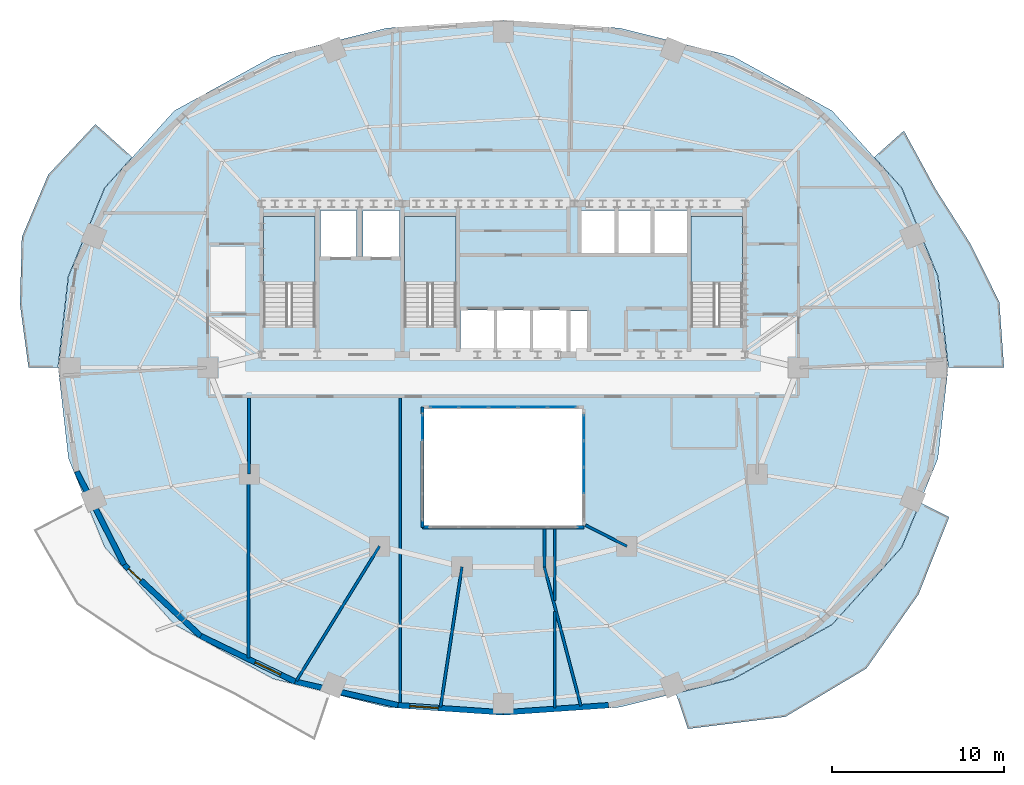
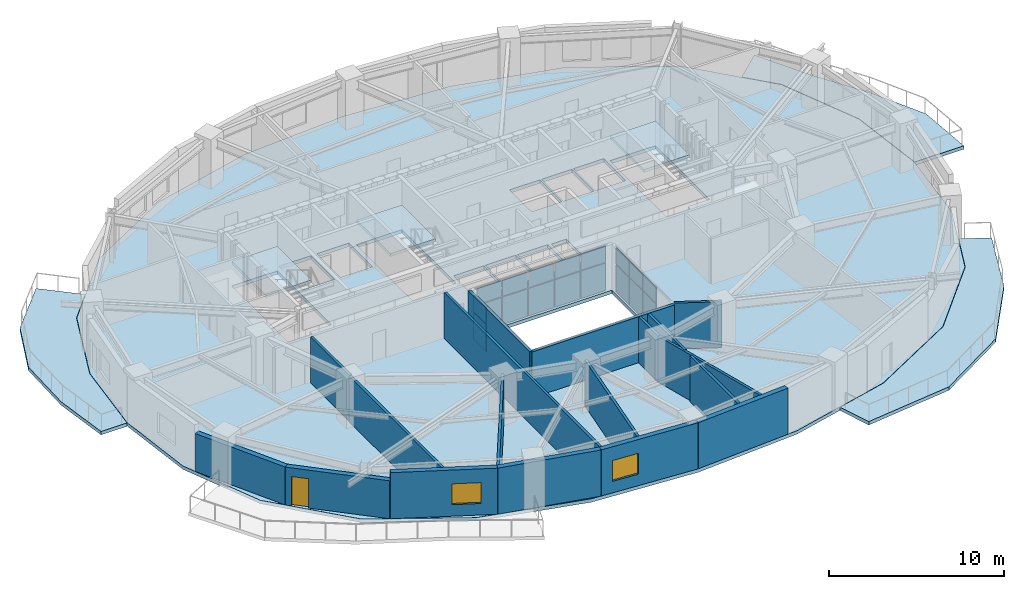
# One storey, part 5 of 11: 18 plates, 18 walls, 7 slabs, 2 windows, 1 door, 3 openings, 6 elements without a shape of their own.
"""IFC4 building model written with IfcOpenShell, lengths in metres."""

from ifc_helpers import new_model, si_unit, direction, frame, frame_2d, origin, origin_2d, place, context, subcontext, project, spatial, polyline, rectangle, outline, extrude, material, layer, layer_set, type_object, element, fill, aggregate, save


model = new_model("IFC4")

# Units and contexts
model_context = context("Model", 3, precision=1e-05, world=origin(), true_north=direction((0.0, 1.0)))
body_context = subcontext(model_context, "Body", "Model", "MODEL_VIEW")
ifc_project = project(units=[si_unit("LENGTHUNIT", "METRE"), si_unit("AREAUNIT", "SQUARE_METRE"), si_unit("VOLUMEUNIT", "CUBIC_METRE"), si_unit("PLANEANGLEUNIT", "RADIAN"), si_unit("MASSUNIT", "GRAM", prefix="KILO")], contexts=[model_context])

# Site, building, storey
site_placement = place(None, origin())
site = spatial("IfcSite", under=ifc_project, at=site_placement, CompositionType="ELEMENT")
building_placement = place(site_placement, origin())
building = spatial("IfcBuilding", under=site, at=building_placement, Name="Haldorwick Loom Tower", CompositionType="ELEMENT")
storey_placement = place(building_placement, frame((0.0, 0.0, 171.699951171875)))
storey = spatial("IfcBuildingStorey", under=building, at=storey_placement, Name="L46", CompositionType="ELEMENT", Elevation=171.699951171875)

# Curtain wall, plates
ifc_material_1 = material(Name="Thermally Broken Anodized Aluminium Curtain Wall Framing", Category="aluminium")
curtain_wall_type = type_object("IfcCurtainWallType", Name="ARC-CW-03", PredefinedType="NOTDEFINED", material=ifc_material_1)
curtain_wall_1_placement = place(storey_placement, origin())
curtain_wall_1 = element("IfcCurtainWall", 1, at=curtain_wall_1_placement, inside=storey, type_object=curtain_wall_type, Name="L46 Atrium Glazed Screen N", PredefinedType="NOTDEFINED")
ifc_material_2 = material(Name="Triple-Glazed Low-E Argon Insulated Glazing Unit", Category="glass")
ifc_layer_1 = layer(ifc_material_2, 0.04296875, Name="Triple-Glazed Low-E Argon Insulated Glazing Unit", Category="glass")
ifc_layer_set_1 = layer_set([ifc_layer_1], Name="Triple-Glazed Low-E Argon Insulated Glazing Unit")
plate_type = type_object("IfcPlateType", Name="ARC-CWP-03", PredefinedType="CURTAIN_PANEL", material=ifc_layer_set_1)
plate_1_placement = place(storey_placement, frame((32.576416015625, 23.699951171875, 0.066162109375), z_axis=(0.0, 0.0, 1.0), x_axis=(1.0, 0.0, 0.0)))
plate_1 = element("IfcPlate", 2, at=plate_1_placement, type_object=plate_type, Name="CW-03 panel 1.1", PredefinedType="CURTAIN_PANEL", context=body_context, shape_type="SweptSolid", body=[
    extrude(rectangle(XDim=1.62109375, YDim=0.04296875, at=origin_2d()), origin(), (0.0, 0.0, 1.0), 1.90087890625),
])
plate_2_placement = place(storey_placement, frame((32.576416015625, 23.699951171875, 2.033203125), z_axis=(0.0, 0.0, 1.0), x_axis=(1.0, 0.0, 0.0)))
plate_2 = element("IfcPlate", 3, at=plate_2_placement, type_object=plate_type, Name="CW-03 panel 1.2", PredefinedType="CURTAIN_PANEL", context=body_context, shape_type="SweptSolid", body=[
    extrude(rectangle(XDim=1.62109375, YDim=0.04296875, at=origin_2d()), origin(), (0.0, 0.0, 1.0), 1.111083984375),
])
plate_3_placement = place(storey_placement, frame((34.280029296875, 23.699951171875, 0.066162109375), z_axis=(0.0, 0.0, 1.0), x_axis=(1.0, 0.0, 0.0)))
plate_3 = element("IfcPlate", 4, at=plate_3_placement, type_object=plate_type, Name="CW-03 panel 2.1", PredefinedType="CURTAIN_PANEL", context=body_context, shape_type="SweptSolid", body=[
    extrude(rectangle(XDim=1.654052734375, YDim=0.04296875, at=origin_2d()), origin(), (0.0, 0.0, 1.0), 1.90087890625),
])
plate_4_placement = place(storey_placement, frame((34.280029296875, 23.699951171875, 2.033203125), z_axis=(0.0, 0.0, 1.0), x_axis=(1.0, 0.0, 0.0)))
plate_4 = element("IfcPlate", 5, at=plate_4_placement, type_object=plate_type, Name="CW-03 panel 2.2", PredefinedType="CURTAIN_PANEL", context=body_context, shape_type="SweptSolid", body=[
    extrude(rectangle(XDim=1.654052734375, YDim=0.04296875, at=origin_2d()), origin(), (0.0, 0.0, 1.0), 1.111083984375),
])
plate_5_placement = place(storey_placement, frame((36.0, 23.699951171875, 0.066162109375), z_axis=(0.0, 0.0, 1.0), x_axis=(1.0, 0.0, 0.0)))
plate_5 = element("IfcPlate", 6, at=plate_5_placement, type_object=plate_type, Name="CW-03 panel 3.1", PredefinedType="CURTAIN_PANEL", context=body_context, shape_type="SweptSolid", body=[
    extrude(rectangle(XDim=1.654052734375, YDim=0.04296875, at=origin_2d()), origin(), (0.0, 0.0, 1.0), 1.90087890625),
])
plate_6_placement = place(storey_placement, frame((36.0, 23.699951171875, 2.033203125), z_axis=(0.0, 0.0, 1.0), x_axis=(1.0, 0.0, 0.0)))
plate_6 = element("IfcPlate", 7, at=plate_6_placement, type_object=plate_type, Name="CW-03 panel 3.2", PredefinedType="CURTAIN_PANEL", context=body_context, shape_type="SweptSolid", body=[
    extrude(rectangle(XDim=1.654052734375, YDim=0.04296875, at=origin_2d()), origin(), (0.0, 0.0, 1.0), 1.111083984375),
])
plate_7_placement = place(storey_placement, frame((37.719970703125, 23.699951171875, 0.066162109375), z_axis=(0.0, 0.0, 1.0), x_axis=(1.0, 0.0, 0.0)))
plate_7 = element("IfcPlate", 8, at=plate_7_placement, type_object=plate_type, Name="CW-03 panel 4.1", PredefinedType="CURTAIN_PANEL", context=body_context, shape_type="SweptSolid", body=[
    extrude(rectangle(XDim=1.654052734375, YDim=0.04296875, at=origin_2d()), origin(), (0.0, 0.0, 1.0), 1.90087890625),
])
plate_8_placement = place(storey_placement, frame((37.719970703125, 23.699951171875, 2.033203125), z_axis=(0.0, 0.0, 1.0), x_axis=(1.0, 0.0, 0.0)))
plate_8 = element("IfcPlate", 9, at=plate_8_placement, type_object=plate_type, Name="CW-03 panel 4.2", PredefinedType="CURTAIN_PANEL", context=body_context, shape_type="SweptSolid", body=[
    extrude(rectangle(XDim=1.654052734375, YDim=0.04296875, at=origin_2d()), origin(), (0.0, 0.0, 1.0), 1.111083984375),
])
plate_9_placement = place(storey_placement, frame((39.423583984375, 23.699951171875, 0.066162109375), z_axis=(0.0, 0.0, 1.0), x_axis=(1.0, 0.0, 0.0)))
plate_9 = element("IfcPlate", 10, at=plate_9_placement, type_object=plate_type, Name="CW-03 panel 5.1", PredefinedType="CURTAIN_PANEL", context=body_context, shape_type="SweptSolid", body=[
    extrude(rectangle(XDim=1.62109375, YDim=0.04296875, at=origin_2d()), origin(), (0.0, 0.0, 1.0), 1.90087890625),
])
plate_10_placement = place(storey_placement, frame((39.423583984375, 23.699951171875, 2.033203125), z_axis=(0.0, 0.0, 1.0), x_axis=(1.0, 0.0, 0.0)))
plate_10 = element("IfcPlate", 11, at=plate_10_placement, type_object=plate_type, Name="CW-03 panel 5.2", PredefinedType="CURTAIN_PANEL", context=body_context, shape_type="SweptSolid", body=[
    extrude(rectangle(XDim=1.62109375, YDim=0.04296875, at=origin_2d()), origin(), (0.0, 0.0, 1.0), 1.111083984375),
])
aggregate(curtain_wall_1, [plate_1, plate_2, plate_3, plate_4, plate_5, plate_6, plate_7, plate_8, plate_9, plate_10])

curtain_wall_2_placement = place(storey_placement, origin())
curtain_wall_2 = element("IfcCurtainWall", 12, at=curtain_wall_2_placement, inside=storey, type_object=curtain_wall_type, Name="L46 Atrium Glazed Screen W", PredefinedType="NOTDEFINED")
plate_11_placement = place(storey_placement, frame((31.300048828125, 22.508544921875, 0.066162109375), z_axis=(0.0, 0.0, 1.0), x_axis=(0.0, 1.0, 0.0)))
plate_11 = element("IfcPlate", 13, at=plate_11_placement, type_object=plate_type, Name="CW-03 panel 4.1", PredefinedType="CURTAIN_PANEL", context=body_context, shape_type="SweptSolid", body=[
    extrude(rectangle(XDim=1.450927734375, YDim=0.04296875, at=origin_2d()), origin(), (0.0, 0.0, 1.0), 1.90087890625),
])
plate_12_placement = place(storey_placement, frame((31.300048828125, 22.508544921875, 2.033203125), z_axis=(0.0, 0.0, 1.0), x_axis=(0.0, 1.0, 0.0)))
plate_12 = element("IfcPlate", 14, at=plate_12_placement, type_object=plate_type, Name="CW-03 panel 4.2", PredefinedType="CURTAIN_PANEL", context=body_context, shape_type="SweptSolid", body=[
    extrude(rectangle(XDim=1.450927734375, YDim=0.04296875, at=origin_2d()), origin(), (0.0, 0.0, 1.0), 1.111083984375),
])
aggregate(curtain_wall_2, [plate_11, plate_12])

curtain_wall_3_placement = place(storey_placement, origin())
curtain_wall_3 = element("IfcCurtainWall", 15, at=curtain_wall_3_placement, inside=storey, type_object=curtain_wall_type, Name="L46 Atrium Glazed Screen E", PredefinedType="NOTDEFINED")
plate_13_placement = place(storey_placement, frame((40.699951171875, 22.508544921875, 0.066162109375), z_axis=(0.0, 0.0, 1.0), x_axis=(0.0, -1.0, 0.0)))
plate_13 = element("IfcPlate", 16, at=plate_13_placement, type_object=plate_type, Name="CW-03 panel 1.1", PredefinedType="CURTAIN_PANEL", context=body_context, shape_type="SweptSolid", body=[
    extrude(rectangle(XDim=1.450927734375, YDim=0.04296875, at=origin_2d()), origin(), (0.0, 0.0, 1.0), 1.90087890625),
])
plate_14_placement = place(storey_placement, frame((40.699951171875, 22.508544921875, 2.033203125), z_axis=(0.0, 0.0, 1.0), x_axis=(0.0, -1.0, 0.0)))
plate_14 = element("IfcPlate", 17, at=plate_14_placement, type_object=plate_type, Name="CW-03 panel 1.2", PredefinedType="CURTAIN_PANEL", context=body_context, shape_type="SweptSolid", body=[
    extrude(rectangle(XDim=1.450927734375, YDim=0.04296875, at=origin_2d()), origin(), (0.0, 0.0, 1.0), 1.111083984375),
])
plate_15_placement = place(storey_placement, frame((40.699951171875, 20.97509765625, 0.066162109375), z_axis=(0.0, 0.0, 1.0), x_axis=(0.0, -1.0, 0.0)))
plate_15 = element("IfcPlate", 18, at=plate_15_placement, type_object=plate_type, Name="CW-03 panel 2.1", PredefinedType="CURTAIN_PANEL", context=body_context, shape_type="SweptSolid", body=[
    extrude(rectangle(XDim=1.48388671875, YDim=0.04296875, at=origin_2d()), origin(), (0.0, 0.0, 1.0), 1.90087890625),
])
plate_16_placement = place(storey_placement, frame((40.699951171875, 20.97509765625, 2.033203125), z_axis=(0.0, 0.0, 1.0), x_axis=(0.0, -1.0, 0.0)))
plate_16 = element("IfcPlate", 19, at=plate_16_placement, type_object=plate_type, Name="CW-03 panel 2.2", PredefinedType="CURTAIN_PANEL", context=body_context, shape_type="SweptSolid", body=[
    extrude(rectangle(XDim=1.48388671875, YDim=0.04296875, at=origin_2d()), origin(), (0.0, 0.0, 1.0), 1.111083984375),
])
plate_17_placement = place(storey_placement, frame((40.699951171875, 19.425048828125, 0.066162109375), z_axis=(0.0, 0.0, 1.0), x_axis=(0.0, -1.0, 0.0)))
plate_17 = element("IfcPlate", 20, at=plate_17_placement, type_object=plate_type, Name="CW-03 panel 3.1", PredefinedType="CURTAIN_PANEL", context=body_context, shape_type="SweptSolid", body=[
    extrude(rectangle(XDim=1.48388671875, YDim=0.04296875, at=origin_2d()), origin(), (0.0, 0.0, 1.0), 1.90087890625),
])
plate_18_placement = place(storey_placement, frame((40.699951171875, 19.425048828125, 2.033203125), z_axis=(0.0, 0.0, 1.0), x_axis=(0.0, -1.0, 0.0)))
plate_18 = element("IfcPlate", 21, at=plate_18_placement, type_object=plate_type, Name="CW-03 panel 3.2", PredefinedType="CURTAIN_PANEL", context=body_context, shape_type="SweptSolid", body=[
    extrude(rectangle(XDim=1.48388671875, YDim=0.04296875, at=origin_2d()), origin(), (0.0, 0.0, 1.0), 1.111083984375),
])
aggregate(curtain_wall_3, [plate_13, plate_14, plate_15, plate_16, plate_17, plate_18])

# Slabs
ifc_material_3 = material(Name="Concrete C40 (40 MPa)", Category="concrete")
ifc_layer_2 = layer(ifc_material_3, 0.239990234375, Name="Concrete C40 (40 MPa)", Category="concrete")
ifc_layer_set_2 = layer_set([ifc_layer_2], Name="Concrete C40 (40 MPa)")
slab_type_1 = type_object("IfcSlabType", Name="STR-SLB-BAL240", PredefinedType="FLOOR", material=ifc_layer_set_2)
slab_1_placement = place(storey_placement, frame((0.0, 0.0, -0.239990234375)))
element("IfcSlab", 22, at=slab_1_placement, inside=storey, type_object=slab_type_1, Name="L46 Sinusoidal Balcony Terrace BAL_SE", PredefinedType="FLOOR", context=body_context, shape_type="SweptSolid", body=[
    extrude(outline(polyline([(60.284912109375, 18.142822265625), (59.216064453125, 15.530517578125), (59.21533203125, 15.529296875), (59.21484375, 15.528076171875), (59.214111328125, 15.527099609375), (59.213134765625, 15.526123046875), (55.16162109375, 11.031005859375), (55.16064453125, 11.02978515625), (55.1591796875, 11.028564453125), (55.15771484375, 11.02783203125), (49.40283203125, 7.863037109375), (49.40185546875, 7.8623046875), (49.400634765625, 7.86181640625), (49.3994140625, 7.861572265625), (46.060302734375, 7.02783203125), (46.7607421875, 4.96044921875), (52.440673828125, 5.66796875), (57.151123046875, 8.4794921875), (60.17919921875, 12.77880859375), (61.969482421875, 17.2900390625), (60.284912109375, 18.142822265625)])), origin(), (0.0, 0.0, 1.0), 0.239990234375),
])
slab_2_placement = place(storey_placement, frame((0.0, 0.0, -0.239990234375)))
element("IfcSlab", 23, at=slab_2_placement, inside=storey, type_object=slab_type_1, Name="L46 Sinusoidal Balcony Terrace BAL_WNW", PredefinedType="FLOOR", context=body_context, shape_type="SweptSolid", body=[
    extrude(outline(polyline([(10.068115234375, 26.0), (10.068115234375, 26.001708984375), (10.669677734375, 31.30029296875), (10.669921875, 31.3017578125), (10.670166015625, 31.302978515625), (10.670654296875, 31.30419921875), (12.783935546875, 36.469482421875), (12.78466796875, 36.470703125), (12.78515625, 36.4716796875), (12.785888671875, 36.472900390625), (12.786865234375, 36.473876953125), (14.39013671875, 38.2529296875), (12.253662109375, 40.1748046875), (9.505615234375, 37.237060546875), (7.967529296875, 33.601318359375), (7.860107421875, 29.673583984375), (8.3564453125, 26.0), (10.068115234375, 26.0)])), origin(), (0.0, 0.0, 1.0), 0.239990234375),
])
slab_3_placement = place(storey_placement, frame((0.0, 0.0, -0.239990234375)))
element("IfcSlab", 24, at=slab_3_placement, inside=storey, type_object=slab_type_1, Name="L46 Sinusoidal Balcony Terrace BAL_ENE", PredefinedType="FLOOR", context=body_context, shape_type="SweptSolid", body=[
    extrude(outline(polyline([(57.610107421875, 38.25244140625), (59.213134765625, 36.473876953125), (59.214111328125, 36.472900390625), (59.21484375, 36.4716796875), (59.21533203125, 36.470703125), (59.216064453125, 36.469482421875), (61.329345703125, 31.30419921875), (61.329833984375, 31.302978515625), (61.330078125, 31.3017578125), (61.330322265625, 31.30029296875), (61.931884765625, 26.001708984375), (61.931884765625, 26.0), (65.1669921875, 26.0), (64.89306640625, 29.826416015625), (63.18896484375, 33.25048828125), (61.189208984375, 36.3857421875), (59.33740234375, 39.794677734375), (57.610107421875, 38.25244140625)])), origin(), (0.0, 0.0, 1.0), 0.239990234375),
])

# Stair, slab
stair_type = type_object("IfcStairType", Name="STR-STR-CORE", PredefinedType="HALF_TURN_STAIR", material=ifc_material_3)
stair_1_placement = place(storey_placement, origin())
stair_1 = element("IfcStair", 25, at=stair_1_placement, inside=storey, type_object=stair_type, Name="L46 Exit Stair ST-01", PredefinedType="HALF_TURN_STAIR")
ifc_layer_3 = layer(ifc_material_3, 0.199951171875, Name="Concrete C40 (40 MPa)", Category="concrete")
ifc_layer_set_3 = layer_set([ifc_layer_3], Name="Concrete C40 (40 MPa)")
slab_type_2 = type_object("IfcSlabType", Name="STR-SLB-LAND200", PredefinedType="LANDING", material=ifc_layer_set_3)
slab_4_placement = place(storey_placement, frame((0.0, 0.0, 1.525146484375)))
slab_4 = element("IfcSlab", 26, at=slab_4_placement, type_object=slab_type_2, Name="ST-01 landing 1", PredefinedType="LANDING", context=body_context, shape_type="SweptSolid", body=[
    extrude(outline(polyline([(25.050048828125, 30.919921875), (25.050048828125, 34.800048828125), (22.050048828125, 34.800048828125), (22.050048828125, 30.919921875), (25.050048828125, 30.919921875)])), origin(), (0.0, 0.0, 1.0), 0.199951171875),
])
aggregate(stair_1, [slab_4])

stair_2_placement = place(storey_placement, origin())
stair_2 = element("IfcStair", 27, at=stair_2_placement, inside=storey, type_object=stair_type, Name="L46 Exit Stair ST-02", PredefinedType="HALF_TURN_STAIR")
slab_5_placement = place(storey_placement, frame((0.0, 0.0, 1.525146484375)))
slab_5 = element("IfcSlab", 28, at=slab_5_placement, type_object=slab_type_2, Name="ST-02 landing 1", PredefinedType="LANDING", context=body_context, shape_type="SweptSolid", body=[
    extrude(outline(polyline([(49.949951171875, 30.919921875), (49.949951171875, 34.800048828125), (46.949951171875, 34.800048828125), (46.949951171875, 30.919921875), (49.949951171875, 30.919921875)])), origin(), (0.0, 0.0, 1.0), 0.199951171875),
])
aggregate(stair_2, [slab_5])

stair_3_placement = place(storey_placement, origin())
stair_3 = element("IfcStair", 29, at=stair_3_placement, inside=storey, type_object=stair_type, Name="L46 Exit Stair ST-03", PredefinedType="HALF_TURN_STAIR")
slab_6_placement = place(storey_placement, frame((0.0, 0.0, 1.525146484375)))
slab_6 = element("IfcSlab", 30, at=slab_6_placement, type_object=slab_type_2, Name="ST-03 landing 1", PredefinedType="LANDING", context=body_context, shape_type="SweptSolid", body=[
    extrude(outline(polyline([(33.25, 30.919921875), (33.25, 34.800048828125), (30.25, 34.800048828125), (30.25, 30.919921875), (33.25, 30.919921875)])), origin(), (0.0, 0.0, 1.0), 0.199951171875),
])
aggregate(stair_3, [slab_6])

# Slab
ifc_layer_4 = layer(ifc_material_3, 0.239990234375, Name="Concrete C40 (40 MPa)", Category="concrete")
ifc_layer_set_4 = layer_set([ifc_layer_4], Name="Concrete C40 (40 MPa)")
slab_type_3 = type_object("IfcSlabType", Name="STR-SLB-RES240", PredefinedType="FLOOR", material=ifc_layer_set_4)
slab_7_placement = place(storey_placement, frame((0.0, 0.0, -0.239990234375)))
element("IfcSlab", 31, at=slab_7_placement, inside=storey, type_object=slab_type_3, Name="L46 Residential Structural Floor Slab", PredefinedType="FLOOR", context=body_context, shape_type="SweptSolid", body=[
    extrude(outline(polyline([(55.150634765625, 11.041015625), (59.2021484375, 15.5361328125), (61.3154296875, 20.701416015625), (61.9169921875, 26.0), (61.3154296875, 31.298583984375), (59.2021484375, 36.4638671875), (55.150634765625, 40.958984375), (49.395751953125, 44.123779296875), (42.783203125, 45.774658203125), (36.0, 46.24462890625), (29.216796875, 45.774658203125), (22.604248046875, 44.123779296875), (16.849365234375, 40.958984375), (12.7978515625, 36.4638671875), (10.6845703125, 31.298583984375), (10.0830078125, 26.0), (10.6845703125, 20.701416015625), (12.7978515625, 15.5361328125), (16.849365234375, 11.041015625), (22.604248046875, 7.876220703125), (29.216796875, 6.225341796875), (36.0, 5.75537109375), (42.783203125, 6.225341796875), (49.395751953125, 7.876220703125), (55.150634765625, 11.041015625)]), holes=[polyline([(31.39990234375, 16.800048828125), (31.39990234375, 23.60009765625), (40.60009765625, 23.60009765625), (40.60009765625, 16.800048828125), (31.39990234375, 16.800048828125)]), polyline([(33.5, 26.85009765625), (33.5, 29.35009765625), (35.5, 29.35009765625), (35.5, 26.85009765625), (33.5, 26.85009765625)]), polyline([(35.60009765625, 26.85009765625), (35.60009765625, 29.35009765625), (37.60009765625, 29.35009765625), (37.60009765625, 26.85009765625), (35.60009765625, 26.85009765625)]), polyline([(23.6201171875, 28.39990234375), (22.050048828125, 28.39990234375), (22.050048828125, 34.800048828125), (25.050048828125, 34.800048828125), (25.050048828125, 28.639892578125), (23.6201171875, 28.639892578125), (23.6201171875, 28.39990234375)]), polyline([(30.25, 28.39990234375), (30.25, 34.800048828125), (33.25, 34.800048828125), (33.25, 28.639892578125), (31.820068359375, 28.639892578125), (31.820068359375, 28.39990234375), (30.25, 28.39990234375)]), polyline([(25.35009765625, 32.449951171875), (25.35009765625, 35.14990234375), (27.449951171875, 35.14990234375), (27.449951171875, 32.449951171875), (25.35009765625, 32.449951171875)]), polyline([(29.949951171875, 32.449951171875), (27.85009765625, 32.449951171875), (27.85009765625, 35.14990234375), (29.949951171875, 35.14990234375), (29.949951171875, 32.449951171875)]), polyline([(37.699951171875, 26.85009765625), (37.699951171875, 29.35009765625), (39.699951171875, 29.35009765625), (39.699951171875, 26.85009765625), (37.699951171875, 26.85009765625)]), polyline([(39.89990234375, 26.89990234375), (39.89990234375, 29.300048828125), (40.89990234375, 29.300048828125), (40.89990234375, 26.89990234375), (39.89990234375, 26.89990234375)]), polyline([(46.949951171875, 28.39990234375), (46.949951171875, 34.800048828125), (49.949951171875, 34.800048828125), (49.949951171875, 28.639892578125), (48.52001953125, 28.639892578125), (48.52001953125, 28.39990234375), (46.949951171875, 28.39990234375)]), polyline([(40.550048828125, 32.64990234375), (40.550048828125, 35.14990234375), (42.550048828125, 35.14990234375), (42.550048828125, 32.64990234375), (40.550048828125, 32.64990234375)]), polyline([(42.64990234375, 32.64990234375), (42.64990234375, 35.14990234375), (44.64990234375, 35.14990234375), (44.64990234375, 32.64990234375), (42.64990234375, 32.64990234375)]), polyline([(44.75, 32.64990234375), (44.75, 35.14990234375), (46.75, 35.14990234375), (46.75, 32.64990234375), (44.75, 32.64990234375)])]), origin(), (0.0, 0.0, 1.0), 0.239990234375),
])

# Wall
ifc_material_4 = material(Name="Pressed Clay Face Brick and Insulated Masonry Backup Assembly", Category="masonry")
ifc_layer_5 = layer(ifc_material_4, 0.320068359375, Name="Pressed Clay Face Brick and Insulated Masonry Backup Assembly", Category="masonry")
ifc_layer_set_5 = layer_set([ifc_layer_5], Name="Pressed Clay Face Brick and Insulated Masonry Backup Assembly")
wall_type_1 = type_object("IfcWallType", Name="ARC-WL-EXT320", PredefinedType="STANDARD", material=ifc_layer_set_5)
wall_1_placement = place(storey_placement, frame((11.1650390625, 19.944580078125, 0.0), z_axis=(0.0, 0.0, 1.0), x_axis=(0.453172129629, -0.89142303141, 0.0)))
element("IfcWall", 32, at=wall_1_placement, inside=storey, type_object=wall_type_1, Name="L46 Brick Pier and Spandrel Wall 14", PredefinedType="STANDARD", context=body_context, shape_type="SweptSolid", body=[
    extrude(rectangle(XDim=6.086669921875, YDim=0.320068359375, at=frame_2d((3.04345703125, 0.0))), origin(), (0.0, 0.0, 1.0), 2.64111328125),
])

# Wall, opening, door
wall_2_placement = place(storey_placement, frame((13.92333984375, 14.518798828125, 0.0), z_axis=(0.0, 0.0, 1.0), x_axis=(0.732001571644, -0.681302942244, 0.0)))
wall_2 = element("IfcWall", 33, at=wall_2_placement, inside=storey, type_object=wall_type_1, Name="L46 Brick Pier and Spandrel Wall 15", PredefinedType="STANDARD", context=body_context, shape_type="SweptSolid", body=[
    extrude(rectangle(XDim=6.0869140625, YDim=0.320068359375, at=frame_2d((3.04345703125, 0.0))), origin(), (0.0, 0.0, 1.0), 2.64111328125),
])
opening_1_placement = place(wall_2_placement, frame((0.340087890625, 0.0, 0.0)))
opening_1 = element("IfcOpeningElement", 34, at=opening_1_placement, cuts=wall_2, Name="Opening D-BL10", PredefinedType="OPENING", context=body_context, shape_type="SweptSolid", body=[
    extrude(rectangle(XDim=1.0, YDim=2.0400390625, at=frame_2d((0.5, 1.02001953125))), frame((0.0, 0.169921875, 0.0), z_axis=(0.0, -1.0, 0.0), x_axis=(1.0, 0.0, 0.0)), (0.0, 0.0, 1.0), 0.340087890625),
])
door_type = type_object("IfcDoorType", Name="ARC-DR-BAL100", OperationType="NOTDEFINED", PredefinedType="DOOR", material=ifc_material_1)
door_placement = place(opening_1_placement, origin())
door = element("IfcDoor", 35, at=door_placement, inside=storey, type_object=door_type, Name="L46 Outdoor Terrace Door SLB-L46-BAL_SW", OperationType="SINGLE_SWING_LEFT", OverallHeight=2.0400390625, OverallWidth=1.0, PredefinedType="DOOR", context=body_context, shape_type="SweptSolid", body=[
    extrude(rectangle(XDim=1.0, YDim=2.0400390625, at=frame_2d((0.5, 1.02001953125))), frame((0.0, 0.02490234375, 0.0), z_axis=(0.0, -1.0, 0.0), x_axis=(1.0, 0.0, 0.0)), (0.0, 0.0, 1.0), 0.050048828125),
])
fill(opening_1, door)

# Wall, opening, window
wall_3_placement = place(storey_placement, frame((18.37890625, 10.371826171875, 0.0), z_axis=(0.0, 0.0, 1.0), x_axis=(0.900472429216, -0.43491309962, 0.0)))
wall_3 = element("IfcWall", 36, at=wall_3_placement, inside=storey, type_object=wall_type_1, Name="L46 Brick Pier and Spandrel Wall 16", PredefinedType="STANDARD", context=body_context, shape_type="SweptSolid", body=[
    extrude(rectangle(XDim=6.1181640625, YDim=0.320068359375, at=frame_2d((3.05908203125, 0.0))), origin(), (0.0, 0.0, 1.0), 3.2099609375),
])
opening_2_placement = place(wall_3_placement, frame((3.527099609375, 0.0, 0.800048828125)))
opening_2 = element("IfcOpeningElement", 37, at=opening_2_placement, cuts=wall_3, Name="Opening W-01B", PredefinedType="OPENING", context=body_context, shape_type="SweptSolid", body=[
    extrude(rectangle(XDim=1.64990234375, YDim=1.449951171875, at=frame_2d((0.824951171875, 0.72509765625))), frame((0.0, 0.169921875, 0.0), z_axis=(0.0, -1.0, 0.0), x_axis=(1.0, 0.0, 0.0)), (0.0, 0.0, 1.0), 0.340087890625),
])
window_type = type_object("IfcWindowType", Name="ARC-WIN-W165", PartitioningType="SINGLE_PANEL", PredefinedType="WINDOW", material=ifc_material_2)
window_1_placement = place(opening_2_placement, origin())
window_1 = element("IfcWindow", 38, at=window_1_placement, inside=storey, type_object=window_type, Name="L46 Deep-Set Zone 7A Window 16", OverallHeight=1.449951171875, OverallWidth=1.64990234375, PartitioningType="SINGLE_PANEL", PredefinedType="WINDOW", context=body_context, shape_type="SweptSolid", body=[
    extrude(rectangle(XDim=1.64990234375, YDim=1.449951171875, at=frame_2d((0.824951171875, 0.72509765625))), frame((0.0, 0.030029296875, 0.0), z_axis=(0.0, -1.0, 0.0), x_axis=(1.0, 0.0, 0.0)), (0.0, 0.0, 1.0), 0.06005859375),
])
fill(opening_2, window_1)

# Wall
wall_4_placement = place(storey_placement, frame((23.88818359375, 7.7109375, 0.0), z_axis=(0.0, 0.0, 1.0), x_axis=(0.974593223547, -0.223982250674, 0.0)))
element("IfcWall", 39, at=wall_4_placement, inside=storey, type_object=wall_type_1, Name="L46 Brick Pier and Spandrel Wall 17", PredefinedType="STANDARD", context=body_context, shape_type="SweptSolid", body=[
    extrude(rectangle(XDim=6.138916015625, YDim=0.320068359375, at=frame_2d((3.0693359375, 0.0))), origin(), (0.0, 0.0, 1.0), 3.2099609375),
])

# Wall, opening, window
wall_5_placement = place(storey_placement, frame((29.87109375, 6.3359375, 0.0), z_axis=(0.0, 0.0, 1.0), x_axis=(0.997652942988, -0.068473391522, 0.0)))
wall_5 = element("IfcWall", 40, at=wall_5_placement, inside=storey, type_object=wall_type_1, Name="L46 Brick Pier and Spandrel Wall 18", PredefinedType="STANDARD", context=body_context, shape_type="SweptSolid", body=[
    extrude(rectangle(XDim=6.143310546875, YDim=0.320068359375, at=frame_2d((3.07177734375, 0.0))), origin(), (0.0, 0.0, 1.0), 3.2099609375),
])
opening_3_placement = place(wall_5_placement, frame((0.697509765625, 0.0, 0.800048828125)))
opening_3 = element("IfcOpeningElement", 41, at=opening_3_placement, cuts=wall_5, Name="Opening W-01B", PredefinedType="OPENING", context=body_context, shape_type="SweptSolid", body=[
    extrude(rectangle(XDim=1.64990234375, YDim=1.449951171875, at=frame_2d((0.824951171875, 0.72509765625))), frame((0.0, 0.169921875, 0.0), z_axis=(0.0, -1.0, 0.0), x_axis=(1.0, 0.0, 0.0)), (0.0, 0.0, 1.0), 0.340087890625),
])
window_2_placement = place(opening_3_placement, origin())
window_2 = element("IfcWindow", 42, at=window_2_placement, inside=storey, type_object=window_type, Name="L46 Deep-Set Zone 7A Window 18", OverallHeight=1.449951171875, OverallWidth=1.64990234375, PartitioningType="SINGLE_PANEL", PredefinedType="WINDOW", context=body_context, shape_type="SweptSolid", body=[
    extrude(rectangle(XDim=1.64990234375, YDim=1.449951171875, at=frame_2d((0.824951171875, 0.72509765625))), frame((0.0, 0.030029296875, 0.0), z_axis=(0.0, -1.0, 0.0), x_axis=(1.0, 0.0, 0.0)), (0.0, 0.0, 1.0), 0.06005859375),
])
fill(opening_3, window_2)

# Walls
wall_6_placement = place(storey_placement, frame((36.0, 5.915283203125, 0.0), z_axis=(0.0, 0.0, 1.0), x_axis=(0.997652942988, 0.068473391522, 0.0)))
element("IfcWall", 43, at=wall_6_placement, inside=storey, type_object=wall_type_1, Name="L46 Brick Pier and Spandrel Wall 19", PredefinedType="STANDARD", context=body_context, shape_type="SweptSolid", body=[
    extrude(rectangle(XDim=6.143310546875, YDim=0.320068359375, at=frame_2d((3.07177734375, 0.0))), origin(), (0.0, 0.0, 1.0), 3.2099609375),
])
ifc_material_5 = material(Name="Fire-Rated Type X Gypsum Stud Assembly EI 60")
ifc_layer_6 = layer(ifc_material_5, 0.159912109375, Name="Fire-Rated Type X Gypsum Stud Assembly EI 60")
ifc_layer_set_6 = layer_set([ifc_layer_6], Name="Fire-Rated Type X Gypsum Stud Assembly EI 60")
wall_type_2 = type_object("IfcWallType", Name="ARC-WL-FIRE160", PredefinedType="PARTITIONING", material=ifc_layer_set_6)
wall_7_placement = place(storey_placement, frame((38.39990234375, 14.39990234375, 0.0), z_axis=(0.0, 0.0, 1.0), x_axis=(0.253580014621, -0.967314414337, 0.0)))
element("IfcWall", 44, at=wall_7_placement, inside=storey, type_object=wall_type_2, Name="L46 Residential Fire Partition L46-ICR-05", PredefinedType="PARTITIONING", context=body_context, shape_type="SweptSolid", body=[
    extrude(rectangle(XDim=8.3828125, YDim=0.159912109375, at=frame_2d((4.19140625, 0.0))), origin(), (0.0, 0.0, 1.0), 3.195068359375),
])
wall_8_placement = place(storey_placement, frame((33.60009765625, 14.39990234375, 0.0), z_axis=(0.0, 0.0, 1.0), x_axis=(-0.151084741361, -0.988520814615, 0.0)))
element("IfcWall", 45, at=wall_8_placement, inside=storey, type_object=wall_type_2, Name="L46 Residential Fire Partition L46-ICR-07", PredefinedType="PARTITIONING", context=body_context, shape_type="SweptSolid", body=[
    extrude(rectangle(XDim=8.263916015625, YDim=0.159912109375, at=frame_2d((4.1318359375, 0.0))), origin(), (0.0, 0.0, 1.0), 3.195068359375),
])
wall_9_placement = place(storey_placement, frame((28.800048828125, 15.60009765625, 0.0), z_axis=(0.0, 0.0, 1.0), x_axis=(-0.525389067154, -0.850862108755, 0.0)))
element("IfcWall", 46, at=wall_9_placement, inside=storey, type_object=wall_type_2, Name="L46 Residential Fire Partition L46-ICR-09", PredefinedType="PARTITIONING", context=body_context, shape_type="SweptSolid", body=[
    extrude(rectangle(XDim=9.212890625, YDim=0.159912109375, at=frame_2d((4.6064453125, 0.0))), origin(), (0.0, 0.0, 1.0), 3.195068359375),
])
wall_10_placement = place(storey_placement, frame((30.0, 6.392333984375, 0.0), z_axis=(0.0, 0.0, 1.0), x_axis=(0.0, 1.0, 0.0)))
element("IfcWall", 47, at=wall_10_placement, inside=storey, type_object=wall_type_2, Name="L46 Residential Fire Partition L46-SBP-0", PredefinedType="PARTITIONING", context=body_context, shape_type="SweptSolid", body=[
    extrude(rectangle(XDim=17.82470703125, YDim=0.159912109375, at=frame_2d((8.912353515625, 0.0))), origin(), (0.0, 0.0, 1.0), 3.195068359375),
])
wall_11_placement = place(storey_placement, frame((39.0, 6.186279296875, 0.0), z_axis=(0.0, 0.0, 1.0), x_axis=(0.0, 1.0, 0.0)))
element("IfcWall", 48, at=wall_11_placement, inside=storey, type_object=wall_type_2, Name="L46 Residential Fire Partition L46-SBP-1", PredefinedType="PARTITIONING", context=body_context, shape_type="SweptSolid", body=[
    extrude(rectangle(XDim=5.59765625, YDim=0.159912109375, at=frame_2d((2.798828125, 0.0))), origin(), (0.0, 0.0, 1.0), 3.195068359375),
])
wall_12_placement = place(storey_placement, frame((39.0, 12.4384765625, 0.0), z_axis=(0.0, 0.0, 1.0), x_axis=(0.0, 1.0, 0.0)))
element("IfcWall", 49, at=wall_12_placement, inside=storey, type_object=wall_type_2, Name="L46 Residential Fire Partition L46-SBP-1", PredefinedType="PARTITIONING", context=body_context, shape_type="SweptSolid", body=[
    extrude(rectangle(XDim=4.158447265625, YDim=0.159912109375, at=frame_2d((2.0791015625, 0.0))), origin(), (0.0, 0.0, 1.0), 3.195068359375),
])
wall_13_placement = place(storey_placement, frame((40.802978515625, 16.822021484375, 0.0), z_axis=(0.0, 0.0, 1.0), x_axis=(0.890915506237, -0.454169088278, 0.0)))
element("IfcWall", 50, at=wall_13_placement, inside=storey, type_object=wall_type_2, Name="L46 Residential Fire Partition L46-ICA-03", PredefinedType="PARTITIONING", context=body_context, shape_type="SweptSolid", body=[
    extrude(rectangle(XDim=2.6904296875, YDim=0.159912109375, at=frame_2d((1.34521484375, 0.0))), origin(), (0.0, 0.0, 1.0), 3.195068359375),
])
wall_14_placement = place(storey_placement, frame((38.39990234375, 16.596923828125, 0.0), z_axis=(0.0, 0.0, 1.0), x_axis=(0.0, -1.0, 0.0)))
element("IfcWall", 51, at=wall_14_placement, inside=storey, type_object=wall_type_2, Name="L46 Residential Fire Partition L46-ICA-04", PredefinedType="PARTITIONING", context=body_context, shape_type="SweptSolid", body=[
    extrude(rectangle(XDim=2.197021484375, YDim=0.159912109375, at=frame_2d((1.0986328125, 0.0))), origin(), (0.0, 0.0, 1.0), 3.195068359375),
])
wall_15_placement = place(storey_placement, frame((21.199951171875, 24.217041015625, 0.0), z_axis=(0.0, 0.0, 1.0), x_axis=(0.0, -1.0, 0.0)))
element("IfcWall", 52, at=wall_15_placement, inside=storey, type_object=wall_type_2, Name="L46 Residential Fire Partition L46-ICA-10", PredefinedType="PARTITIONING", context=body_context, shape_type="SweptSolid", body=[
    extrude(rectangle(XDim=4.4169921875, YDim=0.159912109375, at=frame_2d((2.20849609375, 0.0))), origin(), (0.0, 0.0, 1.0), 3.195068359375),
])
wall_16_placement = place(storey_placement, frame((21.168701171875, 19.760009765625, 0.0), z_axis=(0.0, 0.0, 1.0), x_axis=(0.0, -1.0, 0.0)))
element("IfcWall", 53, at=wall_16_placement, inside=storey, type_object=wall_type_2, Name="L46 Suite Split Wall", PredefinedType="PARTITIONING", context=body_context, shape_type="SweptSolid", body=[
    extrude(rectangle(XDim=10.663330078125, YDim=0.159912109375, at=frame_2d((5.33154296875, 0.0))), origin(), (0.0, 0.0, 1.0), 3.195068359375),
])
ifc_material_6 = material(Name="Fire-Rated Type X Gypsum Stud Assembly EI 120")
ifc_layer_7 = layer(ifc_material_6, 0.199951171875, Name="Fire-Rated Type X Gypsum Stud Assembly EI 120")
ifc_layer_set_7 = layer_set([ifc_layer_7], Name="Fire-Rated Type X Gypsum Stud Assembly EI 120")
wall_type_3 = type_object("IfcWallType", Name="ARC-WL-FIRE200", PredefinedType="PARTITIONING", material=ifc_layer_set_7)
wall_17_placement = place(storey_placement, frame((40.699951171875, 16.699951171875, 0.0), z_axis=(0.0, 0.0, 1.0), x_axis=(-1.0, 0.0, 0.0)))
element("IfcWall", 54, at=wall_17_placement, inside=storey, type_object=wall_type_3, Name="L46 Atrium Fire Enclosure Wall S", PredefinedType="PARTITIONING", context=body_context, shape_type="SweptSolid", body=[
    extrude(rectangle(XDim=9.39990234375, YDim=0.199951171875, at=frame_2d((4.699951171875, 0.0))), origin(), (0.0, 0.0, 1.0), 3.195068359375),
])
wall_18_placement = place(storey_placement, frame((31.300048828125, 16.699951171875, 0.0), z_axis=(0.0, 0.0, 1.0), x_axis=(0.0, 1.0, 0.0)))
element("IfcWall", 55, at=wall_18_placement, inside=storey, type_object=wall_type_3, Name="L46 Atrium Fire Enclosure Wall W", PredefinedType="PARTITIONING", context=body_context, shape_type="SweptSolid", body=[
    extrude(rectangle(XDim=7.0, YDim=0.199951171875, at=frame_2d((3.5, 0.0))), origin(), (0.0, 0.0, 1.0), 3.195068359375),
])

save(model, "model.ifc")
